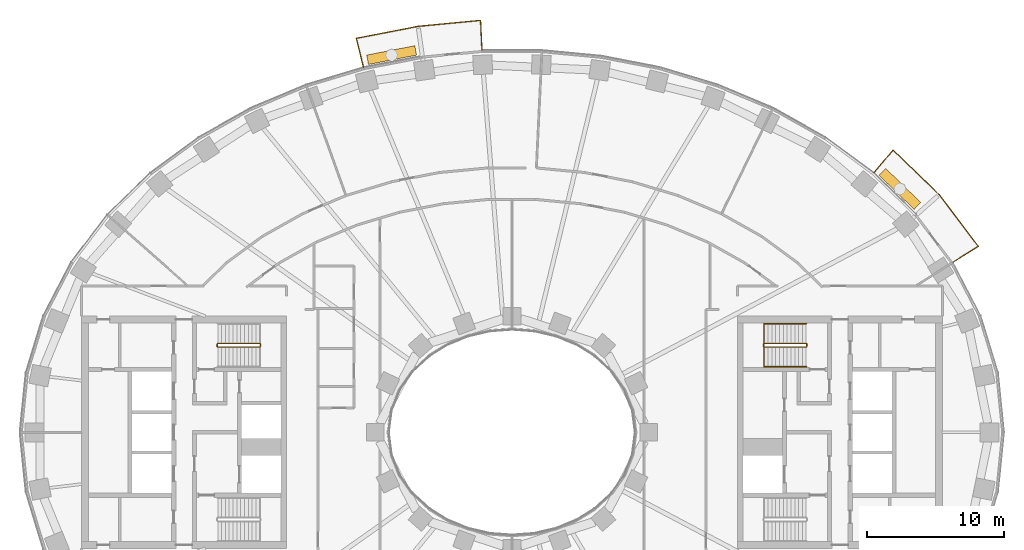
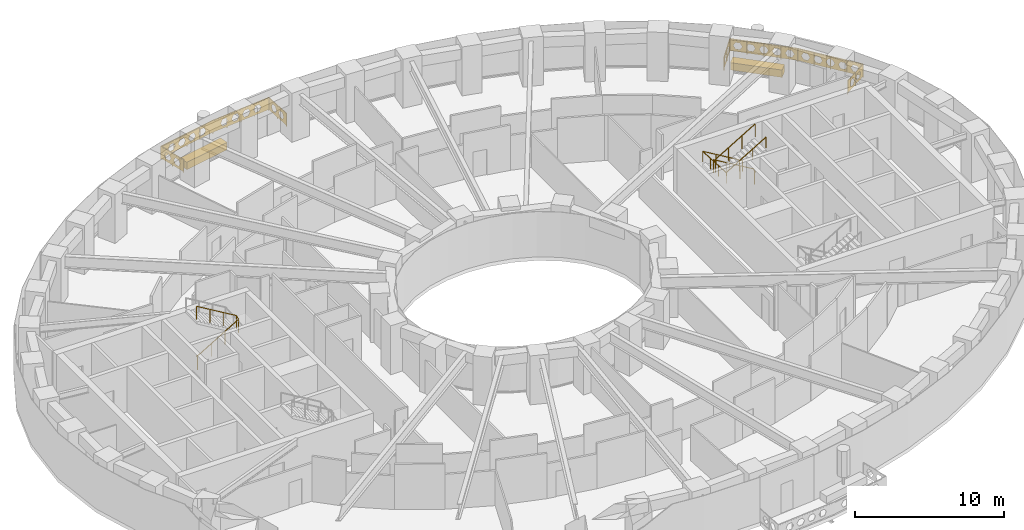
# One storey, part 15 of 16: 5 railings, 2 coverings.
"""IFC4 building model written with IfcOpenShell, lengths in metres."""

from ifc_helpers import new_model, si_unit, direction, frame, origin, origin_2d, place, context, subcontext, project, spatial, polyline, rectangle, outline, extrude, material, type_object, element, save


model = new_model("IFC4")

# Units and contexts
model_context = context("Model", 3, precision=1e-05, world=origin(), true_north=direction((0.0, 1.0)))
body_context = subcontext(model_context, "Body", "Model", "MODEL_VIEW")
ifc_project = project(units=[si_unit("LENGTHUNIT", "METRE"), si_unit("AREAUNIT", "SQUARE_METRE"), si_unit("VOLUMEUNIT", "CUBIC_METRE"), si_unit("PLANEANGLEUNIT", "RADIAN"), si_unit("MASSUNIT", "GRAM", prefix="KILO")], contexts=[model_context])

# Site, building, storey
site_placement = place(None, origin())
site = spatial("IfcSite", under=ifc_project, at=site_placement, CompositionType="ELEMENT")
building_placement = place(site_placement, origin())
building = spatial("IfcBuilding", under=site, at=building_placement, Name="Noorbagh Ring Tower", CompositionType="ELEMENT")
storey_placement = place(building_placement, frame((0.0, 0.0, 78.5)))
storey = spatial("IfcBuildingStorey", under=building, at=storey_placement, Name="L17", CompositionType="ELEMENT", Elevation=78.5)

# Railings
ifc_material_1 = material(Name="Stainless steel", Category="steel")
railing_type_1 = type_object("IfcRailingType", Name="CORE-STAIR-GUARD", PredefinedType="GUARDRAIL", material=ifc_material_1)
railing_1_placement = place(storey_placement, frame((-21.580078125, 6.300048828125, 0.0)))
element("IfcRailing", 1, at=railing_1_placement, inside=storey, type_object=railing_type_1, Name="L17 ST1 stair guard", PredefinedType="GUARDRAIL", context=body_context, shape_type="SweptSolid", body=[
    extrude(rectangle(XDim=0.048095703125, YDim=0.048095703125, at=origin_2d()), frame((0.0, 0.0, 1.076171875), z_axis=(0.0, 1.0, 0.0), x_axis=(-1.0, 0.0, 0.0)), (0.0, 0.0, 1.0), 0.14990234375),
    extrude(rectangle(XDim=0.048095703125, YDim=0.048095703125, at=origin_2d()), frame((0.0, 0.14990234375, 1.076171875), z_axis=(0.188775798145, -0.754182335027, 0.628945707965), x_axis=(0.970072785993, 0.242814311512, 0.0)), (0.0, 0.0, 1.0), 0.26513671875),
    extrude(rectangle(XDim=0.048095703125, YDim=0.048095703125, at=origin_2d()), frame((0.050048828125, -0.050048828125, 1.24267578125), z_axis=(0.859308565015, 0.0, 0.511457515432), x_axis=(0.0, 1.0, 0.0)), (0.0, 0.0, 1.0), 3.58447265625),
    extrude(rectangle(XDim=0.048095703125, YDim=0.048095703125, at=origin_2d()), frame((3.130126953125, -0.050048828125, 3.076171875), z_axis=(0.707106781187, 0.707106781187, 0.0), x_axis=(-0.707106781187, 0.707106781187, 0.0)), (0.0, 0.0, 1.0), 0.07080078125),
    extrude(rectangle(XDim=0.048095703125, YDim=0.048095703125, at=origin_2d()), frame((3.18017578125, 0.0, 3.076171875), z_axis=(0.0, 1.0, 0.0), x_axis=(-1.0, 0.0, 0.0)), (0.0, 0.0, 1.0), 0.14990234375),
    extrude(rectangle(XDim=0.048095703125, YDim=0.048095703125, at=origin_2d()), frame((3.18017578125, 0.14990234375, 3.076171875), z_axis=(-0.27628659633, 0.27628659633, 0.920506074601), x_axis=(-0.707106781187, -0.707106781187, 0.0)), (0.0, 0.0, 1.0), 0.18115234375),
    extrude(rectangle(XDim=0.048095703125, YDim=0.048095703125, at=origin_2d()), frame((3.130126953125, 0.199951171875, 3.24267578125), z_axis=(-0.859308565015, 0.0, 0.511457515432), x_axis=(0.0, -1.0, 0.0)), (0.0, 0.0, 1.0), 3.58447265625),
    extrude(rectangle(XDim=0.0419921875, YDim=0.0419921875, at=origin_2d()), origin(), (0.0, 0.0, 1.0), 1.052001953125),
    extrude(rectangle(XDim=0.0419921875, YDim=0.0419921875, at=origin_2d()), frame((1.07666015625, -0.050048828125, 0.77783203125)), (0.0, 0.0, 1.0), 1.052001953125),
    extrude(rectangle(XDim=0.0419921875, YDim=0.0419921875, at=origin_2d()), frame((2.103515625, -0.050048828125, 1.388916015625)), (0.0, 0.0, 1.0), 1.052001953125),
    extrude(rectangle(XDim=0.0419921875, YDim=0.0419921875, at=origin_2d()), frame((3.130126953125, -0.050048828125, 2.0)), (0.0, 0.0, 1.0), 1.052001953125),
    extrude(rectangle(XDim=0.0419921875, YDim=0.0419921875, at=origin_2d()), frame((3.130126953125, 0.199951171875, 2.166748046875)), (0.0, 0.0, 1.0), 1.052001953125),
    extrude(rectangle(XDim=0.0419921875, YDim=0.0419921875, at=origin_2d()), frame((2.103515625, 0.199951171875, 2.77783203125)), (0.0, 0.0, 1.0), 1.052001953125),
    extrude(rectangle(XDim=0.0419921875, YDim=0.0419921875, at=origin_2d()), frame((1.07666015625, 0.199951171875, 3.388916015625)), (0.0, 0.0, 1.0), 1.052001953125),
    extrude(rectangle(XDim=0.0419921875, YDim=0.0419921875, at=origin_2d()), frame((0.050048828125, 0.199951171875, 4.0)), (0.0, 0.0, 1.0), 1.052001953125),
])
railing_2_placement = place(storey_placement, frame((21.580078125, 6.449951171875, 0.0)))
element("IfcRailing", 2, at=railing_2_placement, inside=storey, type_object=railing_type_1, Name="L17 ST3 stair guard", PredefinedType="GUARDRAIL", context=body_context, shape_type="SweptSolid", body=[
    extrude(rectangle(XDim=0.048095703125, YDim=0.048095703125, at=origin_2d()), frame((0.0, 0.0, 1.076171875), z_axis=(0.0, -1.0, 0.0), x_axis=(1.0, 0.0, 0.0)), (0.0, 0.0, 1.0), 0.14990234375),
    extrude(rectangle(XDim=0.048095703125, YDim=0.048095703125, at=origin_2d()), frame((0.0, -0.14990234375, 1.076171875), z_axis=(-0.188775798145, 0.754182335027, 0.628945707965), x_axis=(-0.970072785993, -0.242814311512, 0.0)), (0.0, 0.0, 1.0), 0.26513671875),
    extrude(rectangle(XDim=0.048095703125, YDim=0.048095703125, at=origin_2d()), frame((-0.050048828125, 0.050048828125, 1.24267578125), z_axis=(-0.859308565015, 0.0, 0.511457515432), x_axis=(0.0, -1.0, 0.0)), (0.0, 0.0, 1.0), 3.58447265625),
    extrude(rectangle(XDim=0.048095703125, YDim=0.048095703125, at=origin_2d()), frame((-3.130126953125, 0.050048828125, 3.076171875), z_axis=(-0.707106781187, -0.707106781187, 0.0), x_axis=(0.707106781187, -0.707106781187, 0.0)), (0.0, 0.0, 1.0), 0.07080078125),
    extrude(rectangle(XDim=0.048095703125, YDim=0.048095703125, at=origin_2d()), frame((-3.18017578125, 0.0, 3.076171875), z_axis=(0.0, -1.0, 0.0), x_axis=(1.0, 0.0, 0.0)), (0.0, 0.0, 1.0), 0.14990234375),
    extrude(rectangle(XDim=0.048095703125, YDim=0.048095703125, at=origin_2d()), frame((-3.18017578125, -0.14990234375, 3.076171875), z_axis=(0.27628659633, -0.27628659633, 0.920506074601), x_axis=(0.707106781187, 0.707106781187, 0.0)), (0.0, 0.0, 1.0), 0.18115234375),
    extrude(rectangle(XDim=0.048095703125, YDim=0.048095703125, at=origin_2d()), frame((-3.130126953125, -0.199951171875, 3.24267578125), z_axis=(0.859308565015, 0.0, 0.511457515432), x_axis=(0.0, 1.0, 0.0)), (0.0, 0.0, 1.0), 3.58447265625),
    extrude(rectangle(XDim=0.0419921875, YDim=0.0419921875, at=origin_2d()), origin(), (0.0, 0.0, 1.0), 1.052001953125),
    extrude(rectangle(XDim=0.0419921875, YDim=0.0419921875, at=origin_2d()), frame((-1.07666015625, 0.050048828125, 0.77783203125)), (0.0, 0.0, 1.0), 1.052001953125),
    extrude(rectangle(XDim=0.0419921875, YDim=0.0419921875, at=origin_2d()), frame((-2.103515625, 0.050048828125, 1.388916015625)), (0.0, 0.0, 1.0), 1.052001953125),
    extrude(rectangle(XDim=0.0419921875, YDim=0.0419921875, at=origin_2d()), frame((-3.130126953125, 0.050048828125, 2.0)), (0.0, 0.0, 1.0), 1.052001953125),
    extrude(rectangle(XDim=0.0419921875, YDim=0.0419921875, at=origin_2d()), frame((-3.130126953125, -0.199951171875, 2.166748046875)), (0.0, 0.0, 1.0), 1.052001953125),
    extrude(rectangle(XDim=0.0419921875, YDim=0.0419921875, at=origin_2d()), frame((-2.103515625, -0.199951171875, 2.77783203125)), (0.0, 0.0, 1.0), 1.052001953125),
    extrude(rectangle(XDim=0.0419921875, YDim=0.0419921875, at=origin_2d()), frame((-1.07666015625, -0.199951171875, 3.388916015625)), (0.0, 0.0, 1.0), 1.052001953125),
    extrude(rectangle(XDim=0.0419921875, YDim=0.0419921875, at=origin_2d()), frame((-0.050048828125, -0.199951171875, 4.0)), (0.0, 0.0, 1.0), 1.052001953125),
])
ifc_material_2 = material(Name="Stainless steel", Category="steel")
railing_type_2 = type_object("IfcRailingType", Name="CORE-STAIR-HANDRAIL", PredefinedType="HANDRAIL", material=ifc_material_2)
railing_3_placement = place(storey_placement, frame((21.530029296875, 7.949951171875, 0.166748046875)))
element("IfcRailing", 3, at=railing_3_placement, inside=storey, type_object=railing_type_2, Name="L17 ST3 stair handrail", PredefinedType="HANDRAIL", context=body_context, shape_type="SweptSolid", body=[
    extrude(rectangle(XDim=0.048095703125, YDim=0.048095703125, at=origin_2d()), frame((0.0, 0.0, 0.8759765625), z_axis=(-0.859308565015, 0.0, 0.511457515432), x_axis=(0.0, -1.0, 0.0)), (0.0, 0.0, 1.0), 3.58447265625),
    extrude(rectangle(XDim=0.048095703125, YDim=0.048095703125, at=origin_2d()), frame((-3.080078125, 0.0, 2.708984375), z_axis=(0.0, -0.998601747152, 0.052863509014), x_axis=(1.0, 0.0, 0.0)), (0.0, 0.0, 1.0), 3.154296875),
    extrude(rectangle(XDim=0.048095703125, YDim=0.048095703125, at=origin_2d()), frame((-3.080078125, -3.14990234375, 2.8759765625), z_axis=(0.859308565015, 0.0, 0.511457515432), x_axis=(0.0, 1.0, 0.0)), (0.0, 0.0, 1.0), 3.58447265625),
    extrude(rectangle(XDim=0.0419921875, YDim=0.0419921875, at=origin_2d()), origin(), (0.0, 0.0, 1.0), 0.851806640625),
    extrude(rectangle(XDim=0.0419921875, YDim=0.0419921875, at=origin_2d()), frame((-1.026611328125, 0.0, 0.611083984375)), (0.0, 0.0, 1.0), 0.851806640625),
    extrude(rectangle(XDim=0.0419921875, YDim=0.0419921875, at=origin_2d()), frame((-2.053466796875, 0.0, 1.22216796875)), (0.0, 0.0, 1.0), 0.851806640625),
    extrude(rectangle(XDim=0.0419921875, YDim=0.0419921875, at=origin_2d()), frame((-3.080078125, 0.0, 1.833251953125)), (0.0, 0.0, 1.0), 0.851806640625),
    extrude(rectangle(XDim=0.0419921875, YDim=0.0419921875, at=origin_2d()), frame((-3.080078125, -1.050048828125, 1.888916015625)), (0.0, 0.0, 1.0), 0.851806640625),
    extrude(rectangle(XDim=0.0419921875, YDim=0.0419921875, at=origin_2d()), frame((-3.080078125, -2.099853515625, 1.9443359375)), (0.0, 0.0, 1.0), 0.851806640625),
    extrude(rectangle(XDim=0.0419921875, YDim=0.0419921875, at=origin_2d()), frame((-3.080078125, -3.14990234375, 2.0)), (0.0, 0.0, 1.0), 0.851806640625),
    extrude(rectangle(XDim=0.0419921875, YDim=0.0419921875, at=origin_2d()), frame((-2.053466796875, -3.14990234375, 2.611083984375)), (0.0, 0.0, 1.0), 0.851806640625),
    extrude(rectangle(XDim=0.0419921875, YDim=0.0419921875, at=origin_2d()), frame((-1.026611328125, -3.14990234375, 3.22216796875)), (0.0, 0.0, 1.0), 0.851806640625),
    extrude(rectangle(XDim=0.0419921875, YDim=0.0419921875, at=origin_2d()), frame((0.0, -3.14990234375, 3.833251953125)), (0.0, 0.0, 1.0), 0.851806640625),
])
ifc_material_3 = material(Name="Steel S275 black powder-coated", Category="steel")
railing_type_3 = type_object("IfcRailingType", Name="ENV-GUARD", PredefinedType="GUARDRAIL", material=ifc_material_3)
railing_4_placement = place(storey_placement, frame((32.255126953125, 12.434814453125, 0.0)))
element("IfcRailing", 4, at=railing_4_placement, inside=storey, type_object=railing_type_3, Name="Balcony guard BN01", PredefinedType="GUARDRAIL", context=body_context, shape_type="SweptSolid", body=[
    extrude(rectangle(XDim=0.048095703125, YDim=0.048095703125, at=origin_2d()), frame((0.0, 0.0, 1.076171875), z_axis=(0.844852397829, 0.534999463442, 0.0), x_axis=(-0.534999463442, 0.844852397829, 0.0)), (0.0, 0.0, 1.0), 2.207763671875),
    extrude(rectangle(XDim=0.048095703125, YDim=0.048095703125, at=origin_2d()), frame((1.865234375, 1.18115234375, 1.076171875), z_axis=(-0.604001613322, 0.796983093362, 0.0), x_axis=(-0.796983093362, -0.604001613322, 0.0)), (0.0, 0.0, 1.0), 4.7353515625),
    extrude(rectangle(XDim=0.048095703125, YDim=0.048095703125, at=origin_2d()), frame((-0.994873046875, 4.955078125, 1.076171875), z_axis=(-0.717212632946, 0.696854388766, 0.0), x_axis=(-0.696854388766, -0.717212632946, 0.0)), (0.0, 0.0, 1.0), 4.700927734375),
    extrude(rectangle(XDim=0.048095703125, YDim=0.048095703125, at=origin_2d()), frame((-4.366455078125, 8.23095703125, 1.076171875), z_axis=(-0.646413574048, -0.762987215677, 0.0), x_axis=(0.762987215677, -0.646413574048, 0.0)), (0.0, 0.0, 1.0), 2.205322265625),
    extrude(rectangle(XDim=0.0419921875, YDim=0.0419921875, at=origin_2d()), origin(), (0.0, 0.0, 1.0), 1.052001953125),
    extrude(rectangle(XDim=0.0419921875, YDim=0.0419921875, at=origin_2d()), frame((0.9326171875, 0.590576171875, 0.0)), (0.0, 0.0, 1.0), 1.052001953125),
    extrude(rectangle(XDim=0.0419921875, YDim=0.0419921875, at=origin_2d()), frame((1.865234375, 1.18115234375, 0.0)), (0.0, 0.0, 1.0), 1.052001953125),
    extrude(rectangle(XDim=0.0419921875, YDim=0.0419921875, at=origin_2d()), frame((1.150146484375, 2.12451171875, 0.0)), (0.0, 0.0, 1.0), 1.052001953125),
    extrude(rectangle(XDim=0.0419921875, YDim=0.0419921875, at=origin_2d()), frame((0.43505859375, 3.068115234375, 0.0)), (0.0, 0.0, 1.0), 1.052001953125),
    extrude(rectangle(XDim=0.0419921875, YDim=0.0419921875, at=origin_2d()), frame((-0.27978515625, 4.01171875, 0.0)), (0.0, 0.0, 1.0), 1.052001953125),
    extrude(rectangle(XDim=0.0419921875, YDim=0.0419921875, at=origin_2d()), frame((-0.994873046875, 4.955078125, 0.0)), (0.0, 0.0, 1.0), 1.052001953125),
    extrude(rectangle(XDim=0.0419921875, YDim=0.0419921875, at=origin_2d()), frame((-1.837890625, 5.77392578125, 0.0)), (0.0, 0.0, 1.0), 1.052001953125),
    extrude(rectangle(XDim=0.0419921875, YDim=0.0419921875, at=origin_2d()), frame((-2.6806640625, 6.593017578125, 0.0)), (0.0, 0.0, 1.0), 1.052001953125),
    extrude(rectangle(XDim=0.0419921875, YDim=0.0419921875, at=origin_2d()), frame((-3.5234375, 7.412109375, 0.0)), (0.0, 0.0, 1.0), 1.052001953125),
    extrude(rectangle(XDim=0.0419921875, YDim=0.0419921875, at=origin_2d()), frame((-4.366455078125, 8.23095703125, 0.0)), (0.0, 0.0, 1.0), 1.052001953125),
    extrude(rectangle(XDim=0.0419921875, YDim=0.0419921875, at=origin_2d()), frame((-5.0791015625, 7.3896484375, 0.0)), (0.0, 0.0, 1.0), 1.052001953125),
    extrude(rectangle(XDim=0.0419921875, YDim=0.0419921875, at=origin_2d()), frame((-5.7919921875, 6.54833984375, 0.0)), (0.0, 0.0, 1.0), 1.052001953125),
    extrude(outline(polyline([(0.0, 0.10009765625), (2.207763671875, 0.10009765625), (2.207763671875, 1.031982421875), (0.0, 1.031982421875), (0.0, 0.10009765625)]), holes=[polyline([(0.9638671875, 0.56591796875), (0.808837890625, 0.83447265625), (0.498779296875, 0.83447265625), (0.343994140625, 0.56591796875), (0.498779296875, 0.297607421875), (0.808837890625, 0.297607421875), (0.9638671875, 0.56591796875)]), polyline([(1.86376953125, 0.56591796875), (1.708984375, 0.83447265625), (1.39892578125, 0.83447265625), (1.243896484375, 0.56591796875), (1.39892578125, 0.297607421875), (1.708984375, 0.297607421875), (1.86376953125, 0.56591796875)])]), frame((-0.00537109375, 0.008544921875, 0.0), z_axis=(0.534999463442, -0.844852397829, 0.0), x_axis=(0.844852397829, 0.534999463442, 0.0)), (0.0, 0.0, 1.0), 0.02001953125),
    extrude(outline(polyline([(0.0, 0.10009765625), (4.7353515625, 0.10009765625), (4.7353515625, 1.031982421875), (0.0, 1.031982421875), (0.0, 0.10009765625)]), holes=[polyline([(0.877685546875, 0.56591796875), (0.72265625, 0.83447265625), (0.41259765625, 0.83447265625), (0.257568359375, 0.56591796875), (0.41259765625, 0.297607421875), (0.72265625, 0.297607421875), (0.877685546875, 0.56591796875)]), polyline([(1.777587890625, 0.56591796875), (1.62255859375, 0.83447265625), (1.312744140625, 0.83447265625), (1.15771484375, 0.56591796875), (1.312744140625, 0.297607421875), (1.62255859375, 0.297607421875), (1.777587890625, 0.56591796875)]), polyline([(2.677734375, 0.56591796875), (2.522705078125, 0.83447265625), (2.212646484375, 0.83447265625), (2.0576171875, 0.56591796875), (2.212646484375, 0.297607421875), (2.522705078125, 0.297607421875), (2.677734375, 0.56591796875)]), polyline([(3.57763671875, 0.56591796875), (3.422607421875, 0.83447265625), (3.112548828125, 0.83447265625), (2.95751953125, 0.56591796875), (3.112548828125, 0.297607421875), (3.422607421875, 0.297607421875), (3.57763671875, 0.56591796875)]), polyline([(4.4775390625, 0.56591796875), (4.32275390625, 0.83447265625), (4.0126953125, 0.83447265625), (3.857666015625, 0.56591796875), (4.0126953125, 0.297607421875), (4.32275390625, 0.297607421875), (4.4775390625, 0.56591796875)])]), frame((1.857177734375, 1.175048828125, 0.0), z_axis=(0.796983093362, 0.604001613322, 0.0), x_axis=(-0.604001613322, 0.796983093362, 0.0)), (0.0, 0.0, 1.0), 0.02001953125),
    extrude(outline(polyline([(0.0, 0.10009765625), (4.700927734375, 0.10009765625), (4.700927734375, 1.031982421875), (0.0, 1.031982421875), (0.0, 0.10009765625)]), holes=[polyline([(0.860595703125, 0.56591796875), (0.70556640625, 0.83447265625), (0.3955078125, 0.83447265625), (0.240478515625, 0.56591796875), (0.3955078125, 0.297607421875), (0.70556640625, 0.297607421875), (0.860595703125, 0.56591796875)]), polyline([(1.760498046875, 0.56591796875), (1.60546875, 0.83447265625), (1.29541015625, 0.83447265625), (1.140380859375, 0.56591796875), (1.29541015625, 0.297607421875), (1.60546875, 0.297607421875), (1.760498046875, 0.56591796875)]), polyline([(2.660400390625, 0.56591796875), (2.50537109375, 0.83447265625), (2.195556640625, 0.83447265625), (2.04052734375, 0.56591796875), (2.195556640625, 0.297607421875), (2.50537109375, 0.297607421875), (2.660400390625, 0.56591796875)]), polyline([(3.560546875, 0.56591796875), (3.405517578125, 0.83447265625), (3.095458984375, 0.83447265625), (2.9404296875, 0.56591796875), (3.095458984375, 0.297607421875), (3.405517578125, 0.297607421875), (3.560546875, 0.56591796875)]), polyline([(4.46044921875, 0.56591796875), (4.305419921875, 0.83447265625), (3.995361328125, 0.83447265625), (3.840576171875, 0.56591796875), (3.995361328125, 0.297607421875), (4.305419921875, 0.297607421875), (4.46044921875, 0.56591796875)])]), frame((-1.001953125, 4.947998046875, 0.0), z_axis=(0.696854388766, 0.717212632946, 0.0), x_axis=(-0.717212632946, 0.696854388766, 0.0)), (0.0, 0.0, 1.0), 0.02001953125),
    extrude(outline(polyline([(0.0, 0.10009765625), (2.205322265625, 0.10009765625), (2.205322265625, 1.031982421875), (0.0, 1.031982421875), (0.0, 0.10009765625)]), holes=[polyline([(0.962646484375, 0.56591796875), (0.8076171875, 0.83447265625), (0.49755859375, 0.83447265625), (0.342529296875, 0.56591796875), (0.49755859375, 0.297607421875), (0.8076171875, 0.297607421875), (0.962646484375, 0.56591796875)]), polyline([(1.862548828125, 0.56591796875), (1.707763671875, 0.83447265625), (1.397705078125, 0.83447265625), (1.24267578125, 0.56591796875), (1.397705078125, 0.297607421875), (1.707763671875, 0.297607421875), (1.862548828125, 0.56591796875)])]), frame((-4.35888671875, 8.224609375, 0.0), z_axis=(-0.762987215677, 0.646413574048, 0.0), x_axis=(-0.646413574048, -0.762987215677, 0.0)), (0.0, 0.0, 1.0), 0.02001953125),
])
railing_5_placement = place(storey_placement, frame((-2.193115234375, 27.947998046875, 0.0)))
element("IfcRailing", 5, at=railing_5_placement, inside=storey, type_object=railing_type_3, Name="Balcony guard BN04", PredefinedType="GUARDRAIL", context=body_context, shape_type="SweptSolid", body=[
    extrude(rectangle(XDim=0.048095703125, YDim=0.048095703125, at=origin_2d()), frame((0.0, 0.0, 1.076171875), z_axis=(-0.047554616162, 0.998868639252, 0.0), x_axis=(-0.998868639252, -0.047554616162, 0.0)), (0.0, 0.0, 1.0), 2.202392578125),
    extrude(rectangle(XDim=0.048095703125, YDim=0.048095703125, at=origin_2d()), frame((-0.104736328125, 2.199951171875, 1.076171875), z_axis=(-0.995477555764, -0.094997031379, 0.0), x_axis=(0.094997031379, -0.995477555764, 0.0)), (0.0, 0.0, 1.0), 4.59765625),
    extrude(rectangle(XDim=0.048095703125, YDim=0.048095703125, at=origin_2d()), frame((-4.681640625, 1.76318359375, 1.076171875), z_axis=(-0.981625049064, -0.1908199755, 0.0), x_axis=(0.1908199755, -0.981625049064, 0.0)), (0.0, 0.0, 1.0), 4.603271484375),
    extrude(rectangle(XDim=0.048095703125, YDim=0.048095703125, at=origin_2d()), frame((-9.200439453125, 0.884765625, 1.076171875), z_axis=(0.239848558412, -0.970810315679, 0.0), x_axis=(0.970810315679, 0.239848558412, 0.0)), (0.0, 0.0, 1.0), 2.20263671875),
    extrude(rectangle(XDim=0.0419921875, YDim=0.0419921875, at=origin_2d()), origin(), (0.0, 0.0, 1.0), 1.052001953125),
    extrude(rectangle(XDim=0.0419921875, YDim=0.0419921875, at=origin_2d()), frame((-0.05224609375, 1.10009765625, 0.0)), (0.0, 0.0, 1.0), 1.052001953125),
    extrude(rectangle(XDim=0.0419921875, YDim=0.0419921875, at=origin_2d()), frame((-0.104736328125, 2.199951171875, 0.0)), (0.0, 0.0, 1.0), 1.052001953125),
    extrude(rectangle(XDim=0.0419921875, YDim=0.0419921875, at=origin_2d()), frame((-1.2490234375, 2.0908203125, 0.0)), (0.0, 0.0, 1.0), 1.052001953125),
    extrude(rectangle(XDim=0.0419921875, YDim=0.0419921875, at=origin_2d()), frame((-2.39306640625, 1.9814453125, 0.0)), (0.0, 0.0, 1.0), 1.052001953125),
    extrude(rectangle(XDim=0.0419921875, YDim=0.0419921875, at=origin_2d()), frame((-3.537353515625, 1.872314453125, 0.0)), (0.0, 0.0, 1.0), 1.052001953125),
    extrude(rectangle(XDim=0.0419921875, YDim=0.0419921875, at=origin_2d()), frame((-4.681640625, 1.76318359375, 0.0)), (0.0, 0.0, 1.0), 1.052001953125),
    extrude(rectangle(XDim=0.0419921875, YDim=0.0419921875, at=origin_2d()), frame((-5.811279296875, 1.54345703125, 0.0)), (0.0, 0.0, 1.0), 1.052001953125),
    extrude(rectangle(XDim=0.0419921875, YDim=0.0419921875, at=origin_2d()), frame((-6.94091796875, 1.323974609375, 0.0)), (0.0, 0.0, 1.0), 1.052001953125),
    extrude(rectangle(XDim=0.0419921875, YDim=0.0419921875, at=origin_2d()), frame((-8.07080078125, 1.1044921875, 0.0)), (0.0, 0.0, 1.0), 1.052001953125),
    extrude(rectangle(XDim=0.0419921875, YDim=0.0419921875, at=origin_2d()), frame((-9.200439453125, 0.884765625, 0.0)), (0.0, 0.0, 1.0), 1.052001953125),
    extrude(rectangle(XDim=0.0419921875, YDim=0.0419921875, at=origin_2d()), frame((-8.936279296875, -0.1845703125, 0.0)), (0.0, 0.0, 1.0), 1.052001953125),
    extrude(rectangle(XDim=0.0419921875, YDim=0.0419921875, at=origin_2d()), frame((-8.672119140625, -1.253662109375, 0.0)), (0.0, 0.0, 1.0), 1.052001953125),
    extrude(outline(polyline([(0.0, 0.10009765625), (2.202392578125, 0.10009765625), (2.202392578125, 1.031982421875), (0.0, 1.031982421875), (0.0, 0.10009765625)]), holes=[polyline([(0.961181640625, 0.56591796875), (0.80615234375, 0.83447265625), (0.496337890625, 0.83447265625), (0.34130859375, 0.56591796875), (0.496337890625, 0.297607421875), (0.80615234375, 0.297607421875), (0.961181640625, 0.56591796875)]), polyline([(1.861328125, 0.56591796875), (1.706298828125, 0.83447265625), (1.396240234375, 0.83447265625), (1.2412109375, 0.56591796875), (1.396240234375, 0.297607421875), (1.706298828125, 0.297607421875), (1.861328125, 0.56591796875)])]), frame((-0.010009765625, -0.00048828125, 0.0), z_axis=(0.998868639252, 0.047554616162, 0.0), x_axis=(-0.047554616162, 0.998868639252, 0.0)), (0.0, 0.0, 1.0), 0.02001953125),
    extrude(outline(polyline([(0.0, 0.10009765625), (4.59765625, 0.10009765625), (4.59765625, 1.031982421875), (0.0, 1.031982421875), (0.0, 0.10009765625)]), holes=[polyline([(1.2587890625, 0.56591796875), (1.103759765625, 0.83447265625), (0.7939453125, 0.83447265625), (0.638916015625, 0.56591796875), (0.7939453125, 0.297607421875), (1.103759765625, 0.297607421875), (1.2587890625, 0.56591796875)]), polyline([(2.158935546875, 0.56591796875), (2.00390625, 0.83447265625), (1.69384765625, 0.83447265625), (1.538818359375, 0.56591796875), (1.69384765625, 0.297607421875), (2.00390625, 0.297607421875), (2.158935546875, 0.56591796875)]), polyline([(3.058837890625, 0.56591796875), (2.90380859375, 0.83447265625), (2.59375, 0.83447265625), (2.43896484375, 0.56591796875), (2.59375, 0.297607421875), (2.90380859375, 0.297607421875), (3.058837890625, 0.56591796875)]), polyline([(3.958740234375, 0.56591796875), (3.803955078125, 0.83447265625), (3.493896484375, 0.83447265625), (3.3388671875, 0.56591796875), (3.493896484375, 0.297607421875), (3.803955078125, 0.297607421875), (3.958740234375, 0.56591796875)])]), frame((-0.103759765625, 2.18994140625, 0.0), z_axis=(-0.094997031379, 0.995477555764, 0.0), x_axis=(-0.995477555764, -0.094997031379, 0.0)), (0.0, 0.0, 1.0), 0.02001953125),
    extrude(outline(polyline([(0.0, 0.10009765625), (4.603271484375, 0.10009765625), (4.603271484375, 1.031982421875), (0.0, 1.031982421875), (0.0, 0.10009765625)]), holes=[polyline([(1.26171875, 0.56591796875), (1.106689453125, 0.83447265625), (0.796630859375, 0.83447265625), (0.6416015625, 0.56591796875), (0.796630859375, 0.297607421875), (1.106689453125, 0.297607421875), (1.26171875, 0.56591796875)]), polyline([(2.16162109375, 0.56591796875), (2.006591796875, 0.83447265625), (1.69677734375, 0.83447265625), (1.541748046875, 0.56591796875), (1.69677734375, 0.297607421875), (2.006591796875, 0.297607421875), (2.16162109375, 0.56591796875)]), polyline([(3.061767578125, 0.56591796875), (2.90673828125, 0.83447265625), (2.5966796875, 0.83447265625), (2.441650390625, 0.56591796875), (2.5966796875, 0.297607421875), (2.90673828125, 0.297607421875), (3.061767578125, 0.56591796875)]), polyline([(3.961669921875, 0.56591796875), (3.806640625, 0.83447265625), (3.49658203125, 0.83447265625), (3.341796875, 0.56591796875), (3.49658203125, 0.297607421875), (3.806640625, 0.297607421875), (3.961669921875, 0.56591796875)])]), frame((-4.6796875, 1.75341796875, 0.0), z_axis=(-0.1908199755, 0.981625049064, 0.0), x_axis=(-0.981625049064, -0.1908199755, 0.0)), (0.0, 0.0, 1.0), 0.02001953125),
    extrude(outline(polyline([(0.0, 0.10009765625), (2.20263671875, 0.10009765625), (2.20263671875, 1.031982421875), (0.0, 1.031982421875), (0.0, 0.10009765625)]), holes=[polyline([(0.96142578125, 0.56591796875), (0.806396484375, 0.83447265625), (0.496337890625, 0.83447265625), (0.34130859375, 0.56591796875), (0.496337890625, 0.297607421875), (0.806396484375, 0.297607421875), (0.96142578125, 0.56591796875)]), polyline([(1.861328125, 0.56591796875), (1.706298828125, 0.83447265625), (1.396240234375, 0.83447265625), (1.241455078125, 0.56591796875), (1.396240234375, 0.297607421875), (1.706298828125, 0.297607421875), (1.861328125, 0.56591796875)])]), frame((-9.190673828125, 0.88720703125, 0.0), z_axis=(-0.970810315679, -0.239848558412, 0.0), x_axis=(0.239848558412, -0.970810315679, 0.0)), (0.0, 0.0, 1.0), 0.02001953125),
])

# Coverings
ifc_material_4 = material(Name="Concrete C30/37 planter with soil", Category="concrete")
covering_type = type_object("IfcCoveringType", Name="ENV-PLANTER", PredefinedType="CLADDING", material=ifc_material_4)
covering_1_placement = place(storey_placement, frame((28.3837890625, 17.814208984375, 0.0), z_axis=(0.0, 0.0, 1.0), x_axis=(-0.717224548362, 0.696842125038, 0.0)))
element("IfcCovering", 6, at=covering_1_placement, inside=storey, type_object=covering_type, Name="PLANTER BN01", ObjectType="PLANTER", PredefinedType="CLADDING", context=body_context, shape_type="SweptSolid", body=[
    extrude(rectangle(XDim=3.584228515625, YDim=0.699951171875, at=origin_2d()), origin(), (0.0, 0.0, 1.0), 0.60009765625),
])
covering_2_placement = place(storey_placement, frame((-8.807861328125, 27.603515625, 0.0), z_axis=(0.0, 0.0, 1.0), x_axis=(-0.981624952922, -0.190820470077, 0.0)))
element("IfcCovering", 7, at=covering_2_placement, inside=storey, type_object=covering_type, Name="PLANTER BN04", ObjectType="PLANTER", PredefinedType="CLADDING", context=body_context, shape_type="SweptSolid", body=[
    extrude(rectangle(XDim=3.586181640625, YDim=0.699951171875, at=origin_2d()), origin(), (0.0, 0.0, 1.0), 0.60009765625),
])

save(model, "model.ifc")
